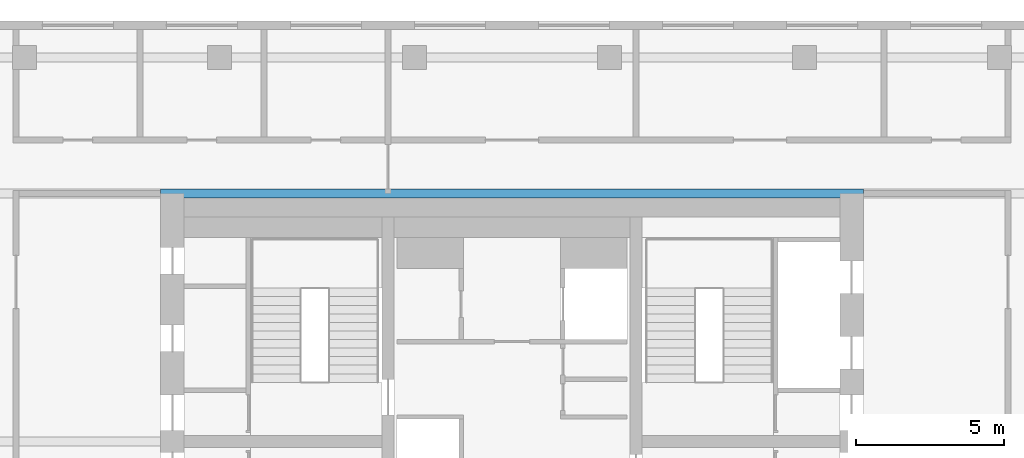
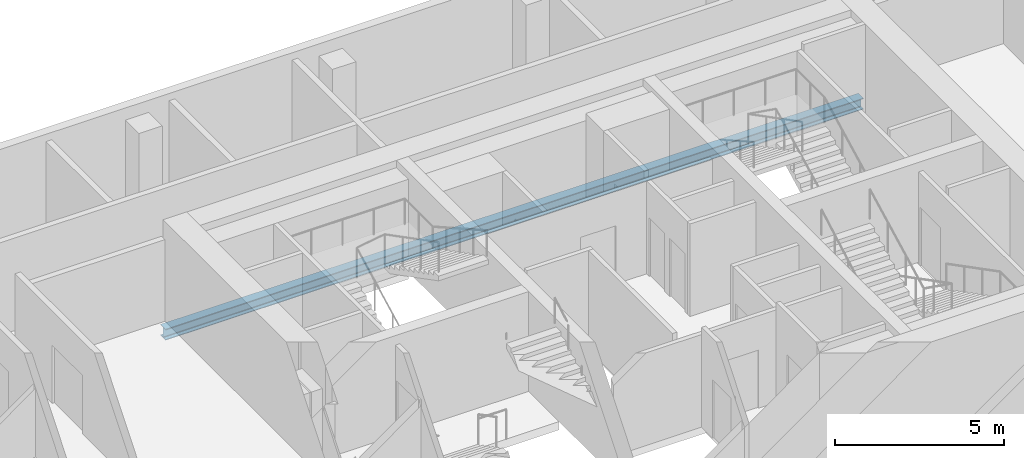
# One storey, part 9 of 21: 1 beam.
"""IFC4 building model written with IfcOpenShell, lengths in metres."""

import ifcopenshell
import ifcopenshell.guid

model = None  # the IFC model being written
_history = None  # IfcOwnerHistory: only IFC2X3 demands one
_inside = {}  # id of a spatial element -> (the spatial element, [elements in it])
_under = {}  # id of a project, library or spatial element -> (it, [spatial elements below it])
_declared = {}  # id of a project -> (the project, [libraries it declares])
_typed = {}  # id of a type object -> (the type object, [elements of that type])
_made_of = {}  # id of a material, layer set ... -> (it, [elements and type objects made of it])


def new_model(schema):
    """Start an empty IFC model of exactly this schema.

    Asked for "IFC4X3", IfcOpenShell would pick the latest addendum, in which some entities
    have other attributes; the version numbers below select the first issue.
    IFC2X3 requires an IfcOwnerHistory on every rooted entity: one is made here for all.
    """
    global model, _history
    if schema == "IFC4X3":
        model = ifcopenshell.file(schema_version=(4, 3, 0, 0))
    else:
        model = ifcopenshell.file(schema=schema)
    _inside.clear()
    _under.clear()
    _declared.clear()
    _typed.clear()
    _made_of.clear()
    _history = None
    if model.schema == "IFC2X3":
        org = make("IfcOrganization", Name="unknown")
        user = make(
            "IfcPersonAndOrganization",
            ThePerson=make("IfcPerson", FamilyName="unknown"),
            TheOrganization=org,
        )
        app = make(
            "IfcApplication",
            ApplicationDeveloper=org,
            Version="unknown",
            ApplicationFullName="unknown",
            ApplicationIdentifier="unknown",
        )
        _history = make(
            "IfcOwnerHistory",
            OwningUser=user,
            OwningApplication=app,
            ChangeAction="ADDED",
            CreationDate=0,
        )
    return model


def make(cls, **values):
    """One entity of the class cls with the attributes given. An attribute that is None is left unset."""
    return model.create_entity(
        cls, **{name: value for name, value in values.items() if value is not None}
    )


def rooted(cls, **values):
    """An entity with a GlobalId (a new one), such as an element, a storey or a relation."""
    return make(cls, GlobalId=ifcopenshell.guid.new(), OwnerHistory=_history, **values)


def si_unit(unit_type, name, prefix=None):
    """IfcSIUnit, for example si_unit("LENGTHUNIT", "METRE", prefix="MILLI")."""
    return make("IfcSIUnit", UnitType=unit_type, Prefix=prefix, Name=name)


def assignment(units):
    """IfcUnitAssignment: the units of a project."""
    return None if units is None else make("IfcUnitAssignment", Units=units)


def point(xyz):
    """IfcCartesianPoint."""
    return None if xyz is None else make("IfcCartesianPoint", Coordinates=xyz)


def direction(xyz):
    """IfcDirection."""
    return None if xyz is None else make("IfcDirection", DirectionRatios=xyz)


def frame(location, z_axis=None, x_axis=None):
    """IfcAxis2Placement3D, a coordinate frame: its origin and axes. An axis left out is left unset."""
    return make(
        "IfcAxis2Placement3D",
        Location=point(location),
        Axis=direction(z_axis),
        RefDirection=direction(x_axis),
    )


def frame_2d(location, x_axis=None):
    """IfcAxis2Placement2D, a coordinate frame in the plane: its origin and x axis."""
    return make(
        "IfcAxis2Placement2D", Location=point(location), RefDirection=direction(x_axis)
    )


def origin():
    """The frame at (0, 0, 0) with its axes left unset."""
    return frame((0.0, 0.0, 0.0))


def origin_2d():
    """The frame at (0, 0) in the plane with its x axis left unset."""
    return frame_2d((0.0, 0.0))


def place(relative_to, where):
    """IfcLocalPlacement: puts the frame where relative to a parent placement (None: the world)."""
    return make(
        "IfcLocalPlacement", PlacementRelTo=relative_to, RelativePlacement=where
    )


def context(
    kind, dimensions, precision=None, world=None, true_north=None, identifier=None
):
    """IfcGeometricRepresentationContext, for example the 3D "Model" context."""
    return make(
        "IfcGeometricRepresentationContext",
        ContextIdentifier=identifier,
        ContextType=kind,
        CoordinateSpaceDimension=dimensions,
        Precision=precision,
        WorldCoordinateSystem=world,
        TrueNorth=true_north,
    )


def subcontext(parent, identifier, kind, view, scale=None):
    """IfcGeometricRepresentationSubContext, for example "Body" below "Model"."""
    return make(
        "IfcGeometricRepresentationSubContext",
        ContextIdentifier=identifier,
        ContextType=kind,
        ParentContext=parent,
        TargetScale=scale,
        TargetView=view,
    )


def project(units=None, contexts=None):
    """IfcProject with its units and contexts."""
    return rooted(
        "IfcProject",
        Name="project",
        RepresentationContexts=contexts,
        UnitsInContext=assignment(units),
    )


def spatial(cls, under=None, at=None, **own):
    """A site, building, storey or space (cls), placed at a placement, below another one or the project."""
    s = rooted(cls, ObjectPlacement=at, **own)
    if under is not None:
        _under.setdefault(under.id(), (under, []))[1].append(s)
    return s


def profile(cls, at=None, kind="AREA", **sizes):
    """A parametric profile (cls). Its sizes go by their IFC names, for example OverallWidth=200.0."""
    return make(cls, ProfileType=kind, Position=at, **sizes)


def i_section(**sizes):
    """IfcIShapeProfileDef."""
    return profile("IfcIShapeProfileDef", **sizes)


def extrude(swept, where, along, depth):
    """IfcExtrudedAreaSolid: the profile swept, set in the frame where, extruded along a direction by depth."""
    return make(
        "IfcExtrudedAreaSolid",
        SweptArea=swept,
        Position=where,
        ExtrudedDirection=direction(along),
        Depth=depth,
    )


def shape(context_of_items, identifier, shape_type, items):
    """IfcShapeRepresentation: the items that make up one representation, for example the "Body"."""
    return make(
        "IfcShapeRepresentation",
        ContextOfItems=context_of_items,
        RepresentationIdentifier=identifier,
        RepresentationType=shape_type,
        Items=items,
    )


def material(Name=None, Category=None):
    """IfcMaterial."""
    return make("IfcMaterial", Name=Name, Category=Category)


def material_profile(
    of_material, cross_section, Name=None, Category=None, Priority=None
):
    """IfcMaterialProfile: a cross section and its material."""
    return make(
        "IfcMaterialProfile",
        Name=Name,
        Material=of_material,
        Profile=cross_section,
        Priority=Priority,
        Category=Category,
    )


def profile_set(profiles, Name=None, composite=None):
    """IfcMaterialProfileSet."""
    return make(
        "IfcMaterialProfileSet",
        Name=Name,
        MaterialProfiles=profiles,
        CompositeProfile=composite,
    )


def made_of(thing, what):
    """Note that an element or type object is made of a material, layer set ...; save() writes the relation."""
    if what is not None:
        _made_of.setdefault(what.id(), (what, []))[1].append(thing)
    return thing


def type_object(cls, material=None, **own):
    """A type object (cls), such as IfcWallType, which elements share."""
    return made_of(rooted(cls, **own), material)


def element(
    cls,
    number,
    at=None,
    inside=None,
    cuts=None,
    type_object=None,
    material=None,
    context=None,
    identifier="Body",
    shape_type=None,
    held_by="IfcProductDefinitionShape",
    body=None,
    shapes=None,
    **own,
):
    """One element of the class cls, such as IfcWall. Its Tag is "e" and its number.

    at: its placement. inside: the storey or other place that contains it. cuts: it is an
    opening in that element (IfcRelVoidsElement). A single representation is given by context,
    identifier, shape_type and body (its items); several are given by shapes. held_by: the class
    of the entity that holds the representations. save() writes the other relations.
    """
    e = rooted(cls, Tag="e%d" % number, ObjectPlacement=at, **own)
    if body is not None:
        shapes = [shape(context, identifier, shape_type, body)]
    if shapes is not None:
        e.Representation = make(held_by, Representations=shapes)
    if inside is not None:
        _inside.setdefault(inside.id(), (inside, []))[1].append(e)
    if cuts is not None:
        rooted(
            "IfcRelVoidsElement", RelatingBuildingElement=cuts, RelatedOpeningElement=e
        )
    if type_object is not None:
        _typed.setdefault(type_object.id(), (type_object, []))[1].append(e)
    return made_of(e, material)


def aggregate(whole, parts):
    """IfcRelAggregates: a whole, such as a stair, and the parts it consists of."""
    return rooted("IfcRelAggregates", RelatingObject=whole, RelatedObjects=parts)


def save(model, path):
    """Write the relations noted so far, then the file.

    IfcRelAggregates (storeys below a building ...), IfcRelContainedInSpatialStructure (elements
    in a storey), IfcRelDefinesByType, IfcRelAssociatesMaterial and IfcRelDeclares: one each for
    every whole, place, type object, material and project.
    """
    for whole, parts in _under.values():
        aggregate(whole, parts)
    for where, things in _inside.values():
        rooted(
            "IfcRelContainedInSpatialStructure",
            RelatedElements=things,
            RelatingStructure=where,
        )
    for kind, things in _typed.values():
        rooted("IfcRelDefinesByType", RelatedObjects=things, RelatingType=kind)
    for what, things in _made_of.values():
        rooted("IfcRelAssociatesMaterial", RelatedObjects=things, RelatingMaterial=what)
    for by, libraries in _declared.values():
        rooted("IfcRelDeclares", RelatingContext=by, RelatedDefinitions=libraries)
    model.write(path)


model = new_model("IFC4")

# Units and contexts
model_context = context("Model", 3, precision=1e-05, world=origin(), true_north=direction((0.0, 1.0)))
body_context = subcontext(model_context, "Body", "Model", "MODEL_VIEW")
ifc_project = project(units=[si_unit("LENGTHUNIT", "METRE"), si_unit("AREAUNIT", "SQUARE_METRE"), si_unit("VOLUMEUNIT", "CUBIC_METRE"), si_unit("PLANEANGLEUNIT", "RADIAN"), si_unit("MASSUNIT", "GRAM", prefix="KILO")], contexts=[model_context])

# Site, building, storey
site_placement = place(None, origin())
site = spatial("IfcSite", under=ifc_project, at=site_placement, CompositionType="ELEMENT")
building_placement = place(site_placement, origin())
building = spatial("IfcBuilding", under=site, at=building_placement, Name="Marenta Gate Hotel Tower", CompositionType="ELEMENT")
storey_placement = place(building_placement, frame((0.0, 0.0, 202.10009765625)))
storey = spatial("IfcBuildingStorey", under=building, at=storey_placement, Name="L46", CompositionType="ELEMENT", Elevation=202.10009765625)

# Beam
ifc_material = material(Name="Steel S355", Category="steel")
ifc_material_profile = material_profile(ifc_material, i_section(OverallWidth=0.300048828125, OverallDepth=0.39990234375, WebThickness=0.013427734375, FlangeThickness=0.02392578125, FilletRadius=0.027099609375, at=origin_2d()), Name="HEB 400")
ifc_profile_set = profile_set([ifc_material_profile], Name="Steel S355")
beam_type = type_object("IfcBeamType", Name="Girder HEB 400", PredefinedType="BEAM", material=ifc_profile_set)
beam_placement = place(storey_placement, frame((-11.89990234375, 16.800048828125, -0.460205078125), z_axis=(1.0, 0.0, 0.0), x_axis=(0.0, 1.0, 0.0)))
element("IfcBeam", 1, at=beam_placement, inside=storey, type_object=beam_type, Name="L46-GD-31", PredefinedType="BEAM", context=body_context, shape_type="SweptSolid", body=[
    extrude(i_section(OverallWidth=0.300048828125, OverallDepth=0.39990234375, WebThickness=0.013427734375, FlangeThickness=0.02392578125, FilletRadius=0.027099609375, at=origin_2d()), origin(), (0.0, 0.0, 1.0), 23.7998046875),
])

save(model, "model.ifc")
